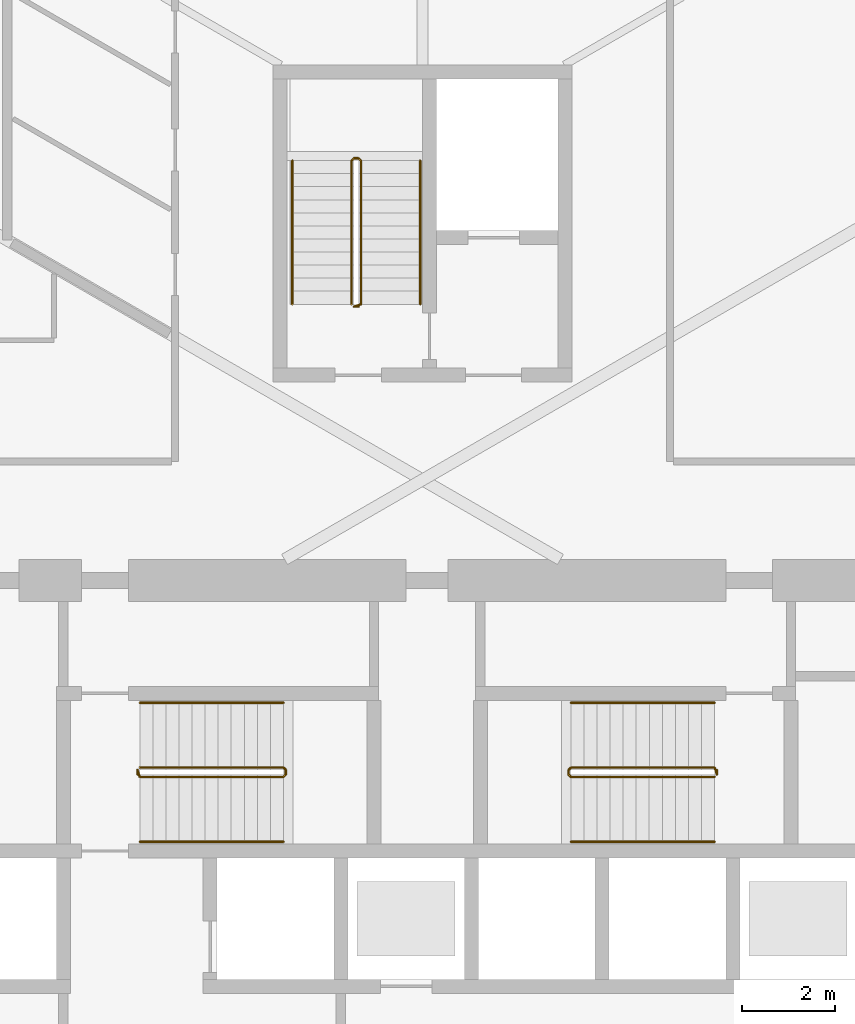
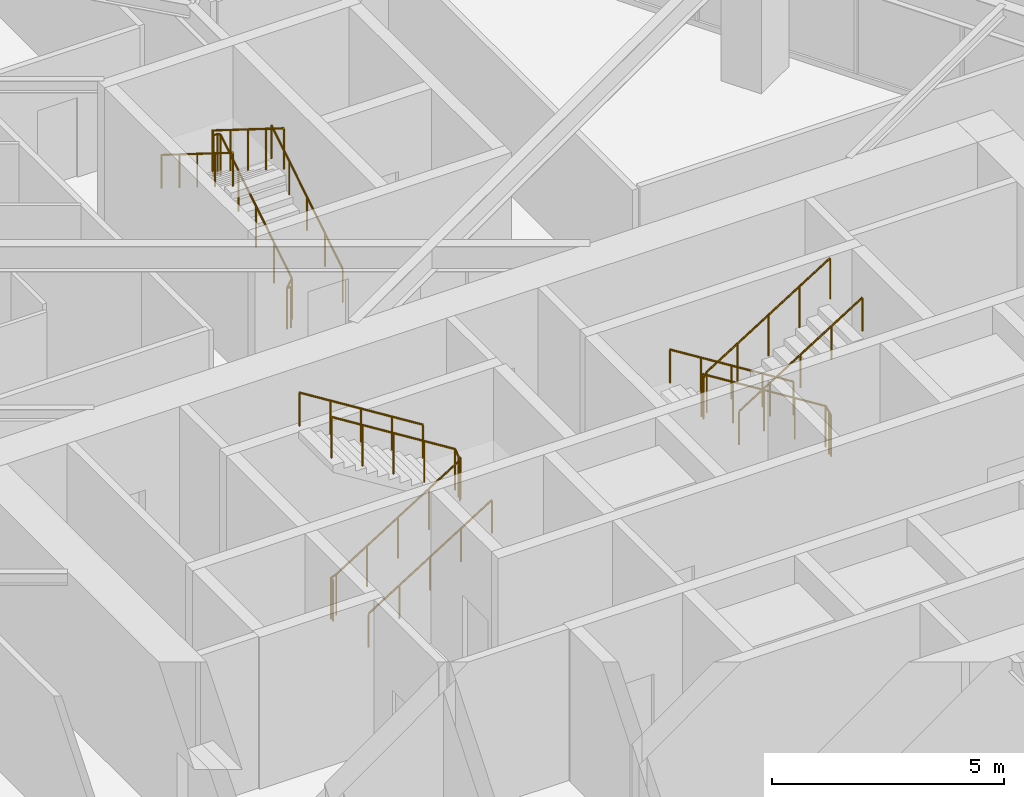
# One storey, part 21 of 22: 9 railings.
"""IFC4 building model written with IfcOpenShell, lengths in metres."""

import ifcopenshell
import ifcopenshell.guid

model = None  # the IFC model being written
_history = None  # IfcOwnerHistory: only IFC2X3 demands one
_inside = {}  # id of a spatial element -> (the spatial element, [elements in it])
_under = {}  # id of a project, library or spatial element -> (it, [spatial elements below it])
_declared = {}  # id of a project -> (the project, [libraries it declares])
_typed = {}  # id of a type object -> (the type object, [elements of that type])
_made_of = {}  # id of a material, layer set ... -> (it, [elements and type objects made of it])


def new_model(schema):
    """Start an empty IFC model of exactly this schema.

    Asked for "IFC4X3", IfcOpenShell would pick the latest addendum, in which some entities
    have other attributes; the version numbers below select the first issue.
    IFC2X3 requires an IfcOwnerHistory on every rooted entity: one is made here for all.
    """
    global model, _history
    if schema == "IFC4X3":
        model = ifcopenshell.file(schema_version=(4, 3, 0, 0))
    else:
        model = ifcopenshell.file(schema=schema)
    _inside.clear()
    _under.clear()
    _declared.clear()
    _typed.clear()
    _made_of.clear()
    _history = None
    if model.schema == "IFC2X3":
        org = make("IfcOrganization", Name="unknown")
        user = make(
            "IfcPersonAndOrganization",
            ThePerson=make("IfcPerson", FamilyName="unknown"),
            TheOrganization=org,
        )
        app = make(
            "IfcApplication",
            ApplicationDeveloper=org,
            Version="unknown",
            ApplicationFullName="unknown",
            ApplicationIdentifier="unknown",
        )
        _history = make(
            "IfcOwnerHistory",
            OwningUser=user,
            OwningApplication=app,
            ChangeAction="ADDED",
            CreationDate=0,
        )
    return model


def make(cls, **values):
    """One entity of the class cls with the attributes given. An attribute that is None is left unset."""
    return model.create_entity(
        cls, **{name: value for name, value in values.items() if value is not None}
    )


def rooted(cls, **values):
    """An entity with a GlobalId (a new one), such as an element, a storey or a relation."""
    return make(cls, GlobalId=ifcopenshell.guid.new(), OwnerHistory=_history, **values)


def si_unit(unit_type, name, prefix=None):
    """IfcSIUnit, for example si_unit("LENGTHUNIT", "METRE", prefix="MILLI")."""
    return make("IfcSIUnit", UnitType=unit_type, Prefix=prefix, Name=name)


def assignment(units):
    """IfcUnitAssignment: the units of a project."""
    return None if units is None else make("IfcUnitAssignment", Units=units)


def point(xyz):
    """IfcCartesianPoint."""
    return None if xyz is None else make("IfcCartesianPoint", Coordinates=xyz)


def direction(xyz):
    """IfcDirection."""
    return None if xyz is None else make("IfcDirection", DirectionRatios=xyz)


def frame(location, z_axis=None, x_axis=None):
    """IfcAxis2Placement3D, a coordinate frame: its origin and axes. An axis left out is left unset."""
    return make(
        "IfcAxis2Placement3D",
        Location=point(location),
        Axis=direction(z_axis),
        RefDirection=direction(x_axis),
    )


def frame_2d(location, x_axis=None):
    """IfcAxis2Placement2D, a coordinate frame in the plane: its origin and x axis."""
    return make(
        "IfcAxis2Placement2D", Location=point(location), RefDirection=direction(x_axis)
    )


def origin():
    """The frame at (0, 0, 0) with its axes left unset."""
    return frame((0.0, 0.0, 0.0))


def origin_2d():
    """The frame at (0, 0) in the plane with its x axis left unset."""
    return frame_2d((0.0, 0.0))


def place(relative_to, where):
    """IfcLocalPlacement: puts the frame where relative to a parent placement (None: the world)."""
    return make(
        "IfcLocalPlacement", PlacementRelTo=relative_to, RelativePlacement=where
    )


def context(
    kind, dimensions, precision=None, world=None, true_north=None, identifier=None
):
    """IfcGeometricRepresentationContext, for example the 3D "Model" context."""
    return make(
        "IfcGeometricRepresentationContext",
        ContextIdentifier=identifier,
        ContextType=kind,
        CoordinateSpaceDimension=dimensions,
        Precision=precision,
        WorldCoordinateSystem=world,
        TrueNorth=true_north,
    )


def subcontext(parent, identifier, kind, view, scale=None):
    """IfcGeometricRepresentationSubContext, for example "Body" below "Model"."""
    return make(
        "IfcGeometricRepresentationSubContext",
        ContextIdentifier=identifier,
        ContextType=kind,
        ParentContext=parent,
        TargetScale=scale,
        TargetView=view,
    )


def project(units=None, contexts=None):
    """IfcProject with its units and contexts."""
    return rooted(
        "IfcProject",
        Name="project",
        RepresentationContexts=contexts,
        UnitsInContext=assignment(units),
    )


def spatial(cls, under=None, at=None, **own):
    """A site, building, storey or space (cls), placed at a placement, below another one or the project."""
    s = rooted(cls, ObjectPlacement=at, **own)
    if under is not None:
        _under.setdefault(under.id(), (under, []))[1].append(s)
    return s


def profile(cls, at=None, kind="AREA", **sizes):
    """A parametric profile (cls). Its sizes go by their IFC names, for example OverallWidth=200.0."""
    return make(cls, ProfileType=kind, Position=at, **sizes)


def circle(**sizes):
    """IfcCircleProfileDef."""
    return profile("IfcCircleProfileDef", **sizes)


def extrude(swept, where, along, depth):
    """IfcExtrudedAreaSolid: the profile swept, set in the frame where, extruded along a direction by depth."""
    return make(
        "IfcExtrudedAreaSolid",
        SweptArea=swept,
        Position=where,
        ExtrudedDirection=direction(along),
        Depth=depth,
    )


def shape(context_of_items, identifier, shape_type, items):
    """IfcShapeRepresentation: the items that make up one representation, for example the "Body"."""
    return make(
        "IfcShapeRepresentation",
        ContextOfItems=context_of_items,
        RepresentationIdentifier=identifier,
        RepresentationType=shape_type,
        Items=items,
    )


def material(Name=None, Category=None):
    """IfcMaterial."""
    return make("IfcMaterial", Name=Name, Category=Category)


def made_of(thing, what):
    """Note that an element or type object is made of a material, layer set ...; save() writes the relation."""
    if what is not None:
        _made_of.setdefault(what.id(), (what, []))[1].append(thing)
    return thing


def type_object(cls, material=None, **own):
    """A type object (cls), such as IfcWallType, which elements share."""
    return made_of(rooted(cls, **own), material)


def element(
    cls,
    number,
    at=None,
    inside=None,
    cuts=None,
    type_object=None,
    material=None,
    context=None,
    identifier="Body",
    shape_type=None,
    held_by="IfcProductDefinitionShape",
    body=None,
    shapes=None,
    **own,
):
    """One element of the class cls, such as IfcWall. Its Tag is "e" and its number.

    at: its placement. inside: the storey or other place that contains it. cuts: it is an
    opening in that element (IfcRelVoidsElement). A single representation is given by context,
    identifier, shape_type and body (its items); several are given by shapes. held_by: the class
    of the entity that holds the representations. save() writes the other relations.
    """
    e = rooted(cls, Tag="e%d" % number, ObjectPlacement=at, **own)
    if body is not None:
        shapes = [shape(context, identifier, shape_type, body)]
    if shapes is not None:
        e.Representation = make(held_by, Representations=shapes)
    if inside is not None:
        _inside.setdefault(inside.id(), (inside, []))[1].append(e)
    if cuts is not None:
        rooted(
            "IfcRelVoidsElement", RelatingBuildingElement=cuts, RelatedOpeningElement=e
        )
    if type_object is not None:
        _typed.setdefault(type_object.id(), (type_object, []))[1].append(e)
    return made_of(e, material)


def aggregate(whole, parts):
    """IfcRelAggregates: a whole, such as a stair, and the parts it consists of."""
    return rooted("IfcRelAggregates", RelatingObject=whole, RelatedObjects=parts)


def save(model, path):
    """Write the relations noted so far, then the file.

    IfcRelAggregates (storeys below a building ...), IfcRelContainedInSpatialStructure (elements
    in a storey), IfcRelDefinesByType, IfcRelAssociatesMaterial and IfcRelDeclares: one each for
    every whole, place, type object, material and project.
    """
    for whole, parts in _under.values():
        aggregate(whole, parts)
    for where, things in _inside.values():
        rooted(
            "IfcRelContainedInSpatialStructure",
            RelatedElements=things,
            RelatingStructure=where,
        )
    for kind, things in _typed.values():
        rooted("IfcRelDefinesByType", RelatedObjects=things, RelatingType=kind)
    for what, things in _made_of.values():
        rooted("IfcRelAssociatesMaterial", RelatedObjects=things, RelatingMaterial=what)
    for by, libraries in _declared.values():
        rooted("IfcRelDeclares", RelatingContext=by, RelatedDefinitions=libraries)
    model.write(path)


model = new_model("IFC4")

# Units and contexts
model_context = context("Model", 3, precision=1e-05, world=origin(), true_north=direction((0.0, 1.0)))
body_context = subcontext(model_context, "Body", "Model", "MODEL_VIEW")
ifc_project = project(units=[si_unit("LENGTHUNIT", "METRE"), si_unit("AREAUNIT", "SQUARE_METRE"), si_unit("VOLUMEUNIT", "CUBIC_METRE"), si_unit("PLANEANGLEUNIT", "RADIAN"), si_unit("MASSUNIT", "GRAM", prefix="KILO")], contexts=[model_context])

# Site, building, storey
site_placement = place(None, origin())
site = spatial("IfcSite", under=ifc_project, at=site_placement, CompositionType="ELEMENT")
building_placement = place(site_placement, origin())
building = spatial("IfcBuilding", under=site, at=building_placement, Name="Firuza Gate Tower and Library", CompositionType="ELEMENT")
storey_placement = place(building_placement, frame((0.0, 0.0, 132.39990234375)))
storey = spatial("IfcBuildingStorey", under=building, at=storey_placement, Name="L30", CompositionType="ELEMENT", Elevation=132.39990234375)

# Railings
ifc_material_1 = material(Name="Steel S355", Category="steel")
railing_type_1 = type_object("IfcRailingType", Name="Stair guard 1100", PredefinedType="GUARDRAIL", material=ifc_material_1)
railing_1_placement = place(storey_placement, frame((68.889892578125, 79.389892578125, 0.0)))
element("IfcRailing", 1, at=railing_1_placement, inside=storey, type_object=railing_type_1, Name="L30 ST1 stair guard 1", PredefinedType="GUARDRAIL", context=body_context, shape_type="SweptSolid", body=[
    extrude(circle(Radius=0.02392578125, at=origin_2d()), frame((0.0, 0.0, 1.076171875), z_axis=(0.0, 1.0, 0.0), x_axis=(-1.0, 0.0, 0.0)), (0.0, 0.0, 1.0), 0.10009765625),
    extrude(circle(Radius=0.02392578125, at=origin_2d()), frame((0.0, 0.10009765625, 1.076171875), z_axis=(0.21222055169, -0.635626432867, 0.742254319813), x_axis=(0.948528701346, 0.316691178788, 0.0)), (0.0, 0.0, 1.0), 0.23583984375),
    extrude(circle(Radius=0.02392578125, at=origin_2d()), frame((0.050048828125, -0.0498046875, 1.2509765625), z_axis=(0.847998304005, 0.0, 0.529998940003), x_axis=(0.0, 1.0, 0.0)), (0.0, 0.0, 1.0), 3.632080078125),
    extrude(circle(Radius=0.02392578125, at=origin_2d()), frame((3.130126953125, -0.0498046875, 3.17626953125), z_axis=(0.708833529934, 0.705375805398, 0.0), x_axis=(-0.705375805398, 0.708833529934, 0.0)), (0.0, 0.0, 1.0), 0.070556640625),
    extrude(circle(Radius=0.02392578125, at=origin_2d()), frame((3.18017578125, 0.0, 3.17626953125), z_axis=(0.0, 1.0, 0.0), x_axis=(-1.0, 0.0, 0.0)), (0.0, 0.0, 1.0), 0.10009765625),
    extrude(circle(Radius=0.02392578125, at=origin_2d()), frame((3.18017578125, 0.10009765625, 3.17626953125), z_axis=(-0.265065253269, 0.265065253269, 0.927081885822), x_axis=(-0.707106781187, -0.707106781187, 0.0)), (0.0, 0.0, 1.0), 0.188720703125),
    extrude(circle(Radius=0.02392578125, at=origin_2d()), frame((3.130126953125, 0.150146484375, 3.35107421875), z_axis=(-0.847998304005, 0.0, 0.529998940003), x_axis=(0.0, -1.0, 0.0)), (0.0, 0.0, 1.0), 3.632080078125),
    extrude(circle(Radius=0.02099609375, at=origin_2d()), origin(), (0.0, 0.0, 1.0), 1.052001953125),
    extrude(circle(Radius=0.02099609375, at=origin_2d()), frame((0.0, 0.10009765625, 0.0)), (0.0, 0.0, 1.0), 1.052001953125),
    extrude(circle(Radius=0.02099609375, at=origin_2d()), frame((0.050048828125, -0.0498046875, 0.175048828125)), (0.0, 0.0, 1.0), 1.052001953125),
    extrude(circle(Radius=0.02099609375, at=origin_2d()), frame((0.820068359375, -0.0498046875, 0.65625)), (0.0, 0.0, 1.0), 1.052001953125),
    extrude(circle(Radius=0.02099609375, at=origin_2d()), frame((1.590087890625, -0.0498046875, 1.1376953125)), (0.0, 0.0, 1.0), 1.052001953125),
    extrude(circle(Radius=0.02099609375, at=origin_2d()), frame((2.360107421875, -0.0498046875, 1.618896484375)), (0.0, 0.0, 1.0), 1.052001953125),
    extrude(circle(Radius=0.02099609375, at=origin_2d()), frame((3.130126953125, -0.0498046875, 2.10009765625)), (0.0, 0.0, 1.0), 1.052001953125),
    extrude(circle(Radius=0.02099609375, at=origin_2d()), frame((3.18017578125, 0.0, 2.10009765625)), (0.0, 0.0, 1.0), 1.052001953125),
    extrude(circle(Radius=0.02099609375, at=origin_2d()), frame((3.18017578125, 0.10009765625, 2.10009765625)), (0.0, 0.0, 1.0), 1.052001953125),
    extrude(circle(Radius=0.02099609375, at=origin_2d()), frame((3.130126953125, 0.150146484375, 2.275146484375)), (0.0, 0.0, 1.0), 1.052001953125),
    extrude(circle(Radius=0.02099609375, at=origin_2d()), frame((2.360107421875, 0.150146484375, 2.75634765625)), (0.0, 0.0, 1.0), 1.052001953125),
    extrude(circle(Radius=0.02099609375, at=origin_2d()), frame((1.590087890625, 0.150146484375, 3.23779296875)), (0.0, 0.0, 1.0), 1.052001953125),
    extrude(circle(Radius=0.02099609375, at=origin_2d()), frame((0.820068359375, 0.150146484375, 3.718994140625)), (0.0, 0.0, 1.0), 1.052001953125),
    extrude(circle(Radius=0.02099609375, at=origin_2d()), frame((0.050048828125, 0.150146484375, 4.2001953125)), (0.0, 0.0, 1.0), 1.052001953125),
])
railing_2_placement = place(storey_placement, frame((81.31005859375, 79.489990234375, 0.0)))
element("IfcRailing", 2, at=railing_2_placement, inside=storey, type_object=railing_type_1, Name="L30 ST2 stair guard 1", PredefinedType="GUARDRAIL", context=body_context, shape_type="SweptSolid", body=[
    extrude(circle(Radius=0.02392578125, at=origin_2d()), frame((0.0, 0.0, 1.076171875), z_axis=(0.0, -1.0, 0.0), x_axis=(1.0, 0.0, 0.0)), (0.0, 0.0, 1.0), 0.10009765625),
    extrude(circle(Radius=0.02392578125, at=origin_2d()), frame((0.0, -0.10009765625, 1.076171875), z_axis=(-0.212080931658, 0.636242794973, 0.741765990237), x_axis=(-0.948683298051, -0.316227766017, 0.0)), (0.0, 0.0, 1.0), 0.236083984375),
    extrude(circle(Radius=0.02392578125, at=origin_2d()), frame((-0.050048828125, 0.050048828125, 1.2509765625), z_axis=(-0.847998304005, 0.0, 0.529998940003), x_axis=(0.0, -1.0, 0.0)), (0.0, 0.0, 1.0), 3.632080078125),
    extrude(circle(Radius=0.02392578125, at=origin_2d()), frame((-3.130126953125, 0.050048828125, 3.17626953125), z_axis=(-0.707106781187, -0.707106781187, 0.0), x_axis=(0.707106781187, -0.707106781187, 0.0)), (0.0, 0.0, 1.0), 0.07080078125),
    extrude(circle(Radius=0.02392578125, at=origin_2d()), frame((-3.18017578125, 0.0, 3.17626953125), z_axis=(0.0, -1.0, 0.0), x_axis=(1.0, 0.0, 0.0)), (0.0, 0.0, 1.0), 0.10009765625),
    extrude(circle(Radius=0.02392578125, at=origin_2d()), frame((-3.18017578125, -0.10009765625, 3.17626953125), z_axis=(0.265155923931, -0.263862480399, 0.927399011991), x_axis=(0.705375805398, 0.708833529934, 0.0)), (0.0, 0.0, 1.0), 0.188720703125),
    extrude(circle(Radius=0.02392578125, at=origin_2d()), frame((-3.130126953125, -0.14990234375, 3.35107421875), z_axis=(0.847998304005, 0.0, 0.529998940003), x_axis=(0.0, 1.0, 0.0)), (0.0, 0.0, 1.0), 3.632080078125),
    extrude(circle(Radius=0.02099609375, at=origin_2d()), origin(), (0.0, 0.0, 1.0), 1.052001953125),
    extrude(circle(Radius=0.02099609375, at=origin_2d()), frame((0.0, -0.10009765625, 0.0)), (0.0, 0.0, 1.0), 1.052001953125),
    extrude(circle(Radius=0.02099609375, at=origin_2d()), frame((-0.050048828125, 0.050048828125, 0.175048828125)), (0.0, 0.0, 1.0), 1.052001953125),
    extrude(circle(Radius=0.02099609375, at=origin_2d()), frame((-0.820068359375, 0.050048828125, 0.65625)), (0.0, 0.0, 1.0), 1.052001953125),
    extrude(circle(Radius=0.02099609375, at=origin_2d()), frame((-1.590087890625, 0.050048828125, 1.1376953125)), (0.0, 0.0, 1.0), 1.052001953125),
    extrude(circle(Radius=0.02099609375, at=origin_2d()), frame((-2.360107421875, 0.050048828125, 1.618896484375)), (0.0, 0.0, 1.0), 1.052001953125),
    extrude(circle(Radius=0.02099609375, at=origin_2d()), frame((-3.130126953125, 0.050048828125, 2.10009765625)), (0.0, 0.0, 1.0), 1.052001953125),
    extrude(circle(Radius=0.02099609375, at=origin_2d()), frame((-3.18017578125, 0.0, 2.10009765625)), (0.0, 0.0, 1.0), 1.052001953125),
    extrude(circle(Radius=0.02099609375, at=origin_2d()), frame((-3.18017578125, -0.10009765625, 2.10009765625)), (0.0, 0.0, 1.0), 1.052001953125),
    extrude(circle(Radius=0.02099609375, at=origin_2d()), frame((-3.130126953125, -0.14990234375, 2.275146484375)), (0.0, 0.0, 1.0), 1.052001953125),
    extrude(circle(Radius=0.02099609375, at=origin_2d()), frame((-2.360107421875, -0.14990234375, 2.75634765625)), (0.0, 0.0, 1.0), 1.052001953125),
    extrude(circle(Radius=0.02099609375, at=origin_2d()), frame((-1.590087890625, -0.14990234375, 3.23779296875)), (0.0, 0.0, 1.0), 1.052001953125),
    extrude(circle(Radius=0.02099609375, at=origin_2d()), frame((-0.820068359375, -0.14990234375, 3.718994140625)), (0.0, 0.0, 1.0), 1.052001953125),
    extrude(circle(Radius=0.02099609375, at=origin_2d()), frame((-0.050048828125, -0.14990234375, 4.2001953125)), (0.0, 0.0, 1.0), 1.052001953125),
])
railing_3_placement = place(storey_placement, frame((73.6298828125, 89.419921875, 0.0)))
element("IfcRailing", 3, at=railing_3_placement, inside=storey, type_object=railing_type_1, Name="L30 ST3 stair guard 1", PredefinedType="GUARDRAIL", context=body_context, shape_type="SweptSolid", body=[
    extrude(circle(Radius=0.02392578125, at=origin_2d()), frame((0.0, 0.0, 1.076171875), z_axis=(-1.0, 0.0, 0.0), x_axis=(0.0, -1.0, 0.0)), (0.0, 0.0, 1.0), 0.099853515625),
    extrude(circle(Radius=0.02392578125, at=origin_2d()), frame((-0.099853515625, 0.0, 1.076171875), z_axis=(0.635626432867, 0.21222055169, 0.742254319813), x_axis=(-0.316691178788, 0.948528701346, 0.0)), (0.0, 0.0, 1.0), 0.23583984375),
    extrude(circle(Radius=0.02392578125, at=origin_2d()), frame((0.050048828125, 0.050048828125, 1.2509765625), z_axis=(0.0, 0.847998304005, 0.529998940003), x_axis=(-1.0, 0.0, 0.0)), (0.0, 0.0, 1.0), 3.632080078125),
    extrude(circle(Radius=0.02392578125, at=origin_2d()), frame((0.050048828125, 3.130126953125, 3.17626953125), z_axis=(-0.707106781187, 0.707106781187, 0.0), x_axis=(-0.707106781187, -0.707106781187, 0.0)), (0.0, 0.0, 1.0), 0.07080078125),
    extrude(circle(Radius=0.02392578125, at=origin_2d()), frame((0.0, 3.18017578125, 3.17626953125), z_axis=(-1.0, 0.0, 0.0), x_axis=(0.0, -1.0, 0.0)), (0.0, 0.0, 1.0), 0.099853515625),
    extrude(circle(Radius=0.02392578125, at=origin_2d()), frame((-0.099853515625, 3.18017578125, 3.17626953125), z_axis=(-0.265065253269, -0.265065253269, 0.927081885822), x_axis=(0.707106781187, -0.707106781187, 0.0)), (0.0, 0.0, 1.0), 0.188720703125),
    extrude(circle(Radius=0.02392578125, at=origin_2d()), frame((-0.14990234375, 3.130126953125, 3.35107421875), z_axis=(0.0, -0.847998304005, 0.529998940003), x_axis=(1.0, 0.0, 0.0)), (0.0, 0.0, 1.0), 3.632080078125),
    extrude(circle(Radius=0.02099609375, at=origin_2d()), origin(), (0.0, 0.0, 1.0), 1.052001953125),
    extrude(circle(Radius=0.02099609375, at=origin_2d()), frame((-0.099853515625, 0.0, 0.0)), (0.0, 0.0, 1.0), 1.052001953125),
    extrude(circle(Radius=0.02099609375, at=origin_2d()), frame((0.050048828125, 0.050048828125, 0.175048828125)), (0.0, 0.0, 1.0), 1.052001953125),
    extrude(circle(Radius=0.02099609375, at=origin_2d()), frame((0.050048828125, 0.820068359375, 0.65625)), (0.0, 0.0, 1.0), 1.052001953125),
    extrude(circle(Radius=0.02099609375, at=origin_2d()), frame((0.050048828125, 1.590087890625, 1.1376953125)), (0.0, 0.0, 1.0), 1.052001953125),
    extrude(circle(Radius=0.02099609375, at=origin_2d()), frame((0.050048828125, 2.360107421875, 1.618896484375)), (0.0, 0.0, 1.0), 1.052001953125),
    extrude(circle(Radius=0.02099609375, at=origin_2d()), frame((0.050048828125, 3.130126953125, 2.10009765625)), (0.0, 0.0, 1.0), 1.052001953125),
    extrude(circle(Radius=0.02099609375, at=origin_2d()), frame((0.0, 3.18017578125, 2.10009765625)), (0.0, 0.0, 1.0), 1.052001953125),
    extrude(circle(Radius=0.02099609375, at=origin_2d()), frame((-0.099853515625, 3.18017578125, 2.10009765625)), (0.0, 0.0, 1.0), 1.052001953125),
    extrude(circle(Radius=0.02099609375, at=origin_2d()), frame((-0.14990234375, 3.130126953125, 2.275146484375)), (0.0, 0.0, 1.0), 1.052001953125),
    extrude(circle(Radius=0.02099609375, at=origin_2d()), frame((-0.14990234375, 2.360107421875, 2.75634765625)), (0.0, 0.0, 1.0), 1.052001953125),
    extrude(circle(Radius=0.02099609375, at=origin_2d()), frame((-0.14990234375, 1.590087890625, 3.23779296875)), (0.0, 0.0, 1.0), 1.052001953125),
    extrude(circle(Radius=0.02099609375, at=origin_2d()), frame((-0.14990234375, 0.820068359375, 3.718994140625)), (0.0, 0.0, 1.0), 1.052001953125),
    extrude(circle(Radius=0.02099609375, at=origin_2d()), frame((-0.14990234375, 0.050048828125, 4.2001953125)), (0.0, 0.0, 1.0), 1.052001953125),
])
ifc_material_2 = material(Name="Steel S355", Category="steel")
railing_type_2 = type_object("IfcRailingType", Name="Stair handrail 900", PredefinedType="HANDRAIL", material=ifc_material_2)
railing_4_placement = place(storey_placement, frame((68.93994140625, 77.949951171875, 0.175048828125)))
element("IfcRailing", 4, at=railing_4_placement, inside=storey, type_object=railing_type_2, Name="L30 ST1 stair handrail 1", PredefinedType="HANDRAIL", context=body_context, shape_type="SweptSolid", body=[
    extrude(circle(Radius=0.02392578125, at=origin_2d()), frame((0.0, 0.0, 0.8759765625), z_axis=(0.847998304005, 0.0, 0.529998940003), x_axis=(0.0, 1.0, 0.0)), (0.0, 0.0, 1.0), 3.632080078125),
    extrude(circle(Radius=0.02099609375, at=origin_2d()), origin(), (0.0, 0.0, 1.0), 0.851806640625),
    extrude(circle(Radius=0.02099609375, at=origin_2d()), frame((0.77001953125, 0.0, 0.481201171875)), (0.0, 0.0, 1.0), 0.851806640625),
    extrude(circle(Radius=0.02099609375, at=origin_2d()), frame((1.5400390625, 0.0, 0.96240234375)), (0.0, 0.0, 1.0), 0.851806640625),
    extrude(circle(Radius=0.02099609375, at=origin_2d()), frame((2.31005859375, 0.0, 1.44384765625)), (0.0, 0.0, 1.0), 0.851806640625),
    extrude(circle(Radius=0.02099609375, at=origin_2d()), frame((3.080078125, 0.0, 1.925048828125)), (0.0, 0.0, 1.0), 0.851806640625),
])
for number, where, name in (
    (5, (72.02001953125, 80.929931640625, 2.275146484375), "L30 ST1 stair handrail 2"),
    (6, (81.260009765625, 80.929931640625, 0.175048828125), "L30 ST2 stair handrail 1"),
):
    element("IfcRailing", number, at=place(storey_placement, frame(where)), inside=storey, type_object=railing_type_2, Name=name, PredefinedType="HANDRAIL", context=body_context, shape_type="SweptSolid", body=[
        extrude(circle(Radius=0.02392578125, at=origin_2d()), frame((0.0, 0.0, 0.8759765625), z_axis=(-0.847998304005, 0.0, 0.529998940003), x_axis=(0.0, -1.0, 0.0)), (0.0, 0.0, 1.0), 3.632080078125),
        extrude(circle(Radius=0.02099609375, at=origin_2d()), origin(), (0.0, 0.0, 1.0), 0.851806640625),
        extrude(circle(Radius=0.02099609375, at=origin_2d()), frame((-0.77001953125, 0.0, 0.481201171875)), (0.0, 0.0, 1.0), 0.851806640625),
        extrude(circle(Radius=0.02099609375, at=origin_2d()), frame((-1.5400390625, 0.0, 0.96240234375)), (0.0, 0.0, 1.0), 0.851806640625),
        extrude(circle(Radius=0.02099609375, at=origin_2d()), frame((-2.31005859375, 0.0, 1.44384765625)), (0.0, 0.0, 1.0), 0.851806640625),
        extrude(circle(Radius=0.02099609375, at=origin_2d()), frame((-3.080078125, 0.0, 1.925048828125)), (0.0, 0.0, 1.0), 0.851806640625),
    ])
railing_5_placement = place(storey_placement, frame((78.179931640625, 77.949951171875, 2.275146484375)))
element("IfcRailing", 7, at=railing_5_placement, inside=storey, type_object=railing_type_2, Name="L30 ST2 stair handrail 2", PredefinedType="HANDRAIL", context=body_context, shape_type="SweptSolid", body=[
    extrude(circle(Radius=0.02392578125, at=origin_2d()), frame((0.0, 0.0, 0.8759765625), z_axis=(0.847998304005, 0.0, 0.529998940003), x_axis=(0.0, 1.0, 0.0)), (0.0, 0.0, 1.0), 3.632080078125),
    extrude(circle(Radius=0.02099609375, at=origin_2d()), origin(), (0.0, 0.0, 1.0), 0.851806640625),
    extrude(circle(Radius=0.02099609375, at=origin_2d()), frame((0.77001953125, 0.0, 0.481201171875)), (0.0, 0.0, 1.0), 0.851806640625),
    extrude(circle(Radius=0.02099609375, at=origin_2d()), frame((1.5400390625, 0.0, 0.96240234375)), (0.0, 0.0, 1.0), 0.851806640625),
    extrude(circle(Radius=0.02099609375, at=origin_2d()), frame((2.31005859375, 0.0, 1.44384765625)), (0.0, 0.0, 1.0), 0.851806640625),
    extrude(circle(Radius=0.02099609375, at=origin_2d()), frame((3.080078125, 0.0, 1.925048828125)), (0.0, 0.0, 1.0), 0.851806640625),
])
railing_6_placement = place(storey_placement, frame((74.949951171875, 89.469970703125, 0.175048828125)))
element("IfcRailing", 8, at=railing_6_placement, inside=storey, type_object=railing_type_2, Name="L30 ST3 stair handrail 1", PredefinedType="HANDRAIL", context=body_context, shape_type="SweptSolid", body=[
    extrude(circle(Radius=0.02392578125, at=origin_2d()), frame((0.0, 0.0, 0.8759765625), z_axis=(0.0, 0.847998304005, 0.529998940003), x_axis=(-1.0, 0.0, 0.0)), (0.0, 0.0, 1.0), 3.632080078125),
    extrude(circle(Radius=0.02099609375, at=origin_2d()), origin(), (0.0, 0.0, 1.0), 0.851806640625),
    extrude(circle(Radius=0.02099609375, at=origin_2d()), frame((0.0, 0.77001953125, 0.481201171875)), (0.0, 0.0, 1.0), 0.851806640625),
    extrude(circle(Radius=0.02099609375, at=origin_2d()), frame((0.0, 1.5400390625, 0.96240234375)), (0.0, 0.0, 1.0), 0.851806640625),
    extrude(circle(Radius=0.02099609375, at=origin_2d()), frame((0.0, 2.31005859375, 1.44384765625)), (0.0, 0.0, 1.0), 0.851806640625),
    extrude(circle(Radius=0.02099609375, at=origin_2d()), frame((0.0, 3.080078125, 1.925048828125)), (0.0, 0.0, 1.0), 0.851806640625),
])
railing_7_placement = place(storey_placement, frame((72.2099609375, 92.550048828125, 2.275146484375)))
element("IfcRailing", 9, at=railing_7_placement, inside=storey, type_object=railing_type_2, Name="L30 ST3 stair handrail 2", PredefinedType="HANDRAIL", context=body_context, shape_type="SweptSolid", body=[
    extrude(circle(Radius=0.02392578125, at=origin_2d()), frame((0.0, 0.0, 0.8759765625), z_axis=(0.0, -0.847998304005, 0.529998940003), x_axis=(1.0, 0.0, 0.0)), (0.0, 0.0, 1.0), 3.632080078125),
    extrude(circle(Radius=0.02099609375, at=origin_2d()), origin(), (0.0, 0.0, 1.0), 0.851806640625),
    extrude(circle(Radius=0.02099609375, at=origin_2d()), frame((0.0, -0.77001953125, 0.481201171875)), (0.0, 0.0, 1.0), 0.851806640625),
    extrude(circle(Radius=0.02099609375, at=origin_2d()), frame((0.0, -1.5400390625, 0.96240234375)), (0.0, 0.0, 1.0), 0.851806640625),
    extrude(circle(Radius=0.02099609375, at=origin_2d()), frame((0.0, -2.31005859375, 1.44384765625)), (0.0, 0.0, 1.0), 0.851806640625),
    extrude(circle(Radius=0.02099609375, at=origin_2d()), frame((0.0, -3.080078125, 1.925048828125)), (0.0, 0.0, 1.0), 0.851806640625),
])

save(model, "model.ifc")
